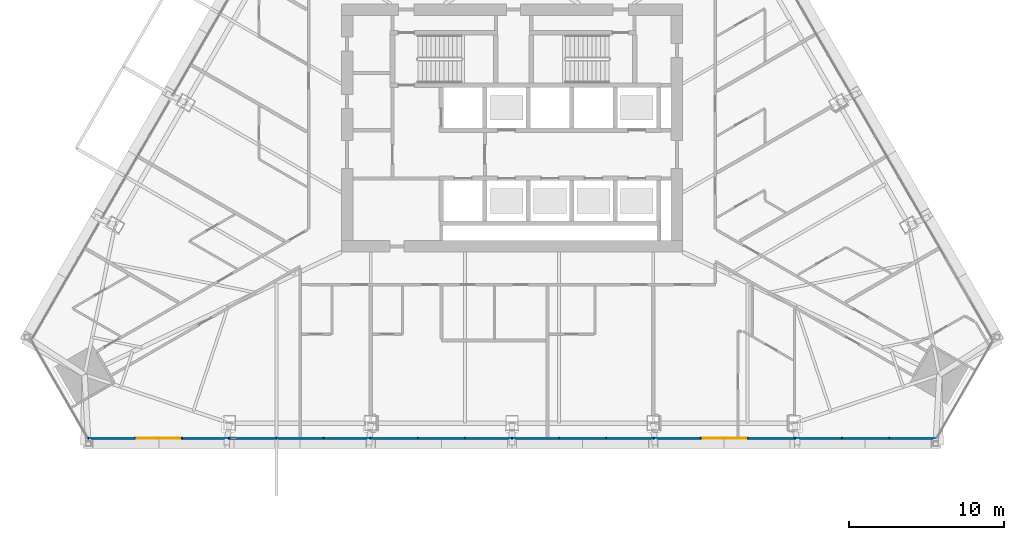
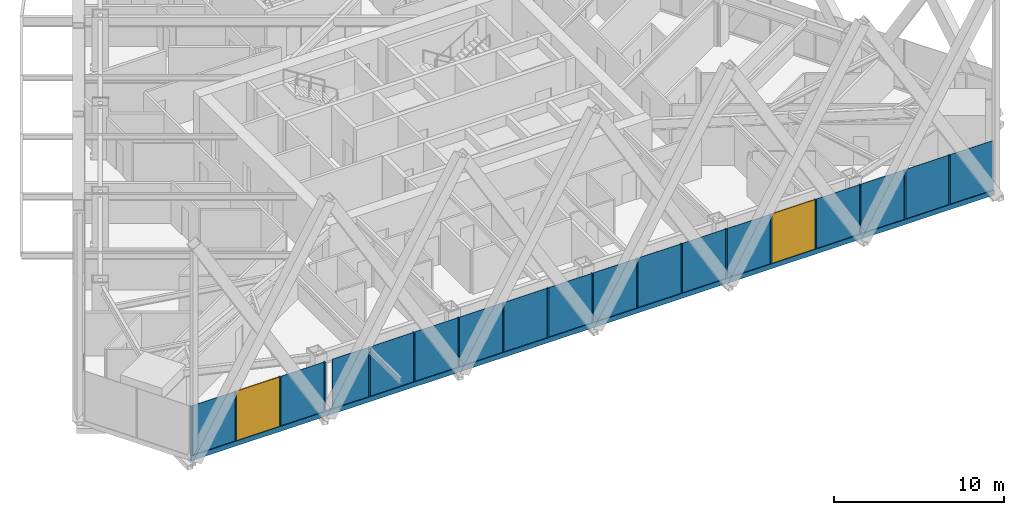
# One storey, part 4 of 26: 19 members, 16 plates, 2 windows, 2 openings, 1 element without a shape of its own.
"""IFC4 building model written with IfcOpenShell, lengths in metres."""

from ifc_helpers import new_model, si_unit, direction, frame, frame_2d, origin, origin_2d, place, context, subcontext, project, spatial, polyline, rectangle, outline, extrude, material, layer, layer_set, material_profile, profile_set, type_object, element, fill, aggregate, save


model = new_model("IFC4")

# Units and contexts
model_context = context("Model", 3, precision=1e-05, world=origin(), true_north=direction((0.0, 1.0)))
body_context = subcontext(model_context, "Body", "Model", "MODEL_VIEW")
ifc_project = project(units=[si_unit("LENGTHUNIT", "METRE"), si_unit("AREAUNIT", "SQUARE_METRE"), si_unit("VOLUMEUNIT", "CUBIC_METRE"), si_unit("PLANEANGLEUNIT", "RADIAN"), si_unit("MASSUNIT", "GRAM", prefix="KILO")], contexts=[model_context])

# Site, building, storey
site_placement = place(None, origin())
site = spatial("IfcSite", under=ifc_project, at=site_placement, CompositionType="ELEMENT")
building_placement = place(site_placement, origin())
building = spatial("IfcBuilding", under=site, at=building_placement, Name="Firuza Gate Tower and Library", CompositionType="ELEMENT")
storey_placement = place(building_placement, frame((0.0, 0.0, 155.800048828125)))
storey = spatial("IfcBuildingStorey", under=building, at=storey_placement, Name="L35", CompositionType="ELEMENT", Elevation=155.800048828125)

# Curtain wall, openings, members, plates, windows
ifc_material_1 = material(Name="Aluminium 6063-T6", Category="aluminium")
ifc_layer_1 = layer(ifc_material_1, 0.14990234375)
ifc_layer_set_1 = layer_set([ifc_layer_1], Name="Unitised curtain wall, hotel")
curtain_wall_type = type_object("IfcCurtainWallType", Name="Unitised curtain wall, hotel", PredefinedType="NOTDEFINED", material=ifc_layer_set_1)
curtain_wall_placement = place(storey_placement, origin())
curtain_wall = element("IfcCurtainWall", 1, at=curtain_wall_placement, inside=storey, type_object=curtain_wall_type, Name="CW2 L35 S face", PredefinedType="NOTDEFINED")
opening_1_placement = place(curtain_wall_placement, frame((50.73486328125, 55.00634765625, 0.14990234375), z_axis=(0.0, 0.0, 1.0), x_axis=(1.0, 0.0, 0.0)))
opening_1 = element("IfcOpeningElement", 2, at=opening_1_placement, cuts=curtain_wall, Name="Opening WD1-003", PredefinedType="OPENING", context=body_context, shape_type="SweptSolid", body=[
    extrude(rectangle(XDim=2.958251953125, YDim=3.550048828125, at=frame_2d((1.47900390625, 1.77490234375))), frame((0.0, 0.0849609375, 0.0), z_axis=(0.0, -1.0, 0.0), x_axis=(1.0, 0.0, 0.0)), (0.0, 0.0, 1.0), 0.169921875),
])
opening_2_placement = place(curtain_wall_placement, frame((87.192626953125, 55.00634765625, 0.14990234375), z_axis=(0.0, 0.0, 1.0), x_axis=(1.0, 0.0, 0.0)))
opening_2 = element("IfcOpeningElement", 3, at=opening_2_placement, cuts=curtain_wall, Name="Opening WD1-004", PredefinedType="OPENING", context=body_context, shape_type="SweptSolid", body=[
    extrude(rectangle(XDim=2.958251953125, YDim=3.550048828125, at=frame_2d((1.47900390625, 1.77490234375))), frame((0.0, 0.0849609375, 0.0), z_axis=(0.0, -1.0, 0.0), x_axis=(1.0, 0.0, 0.0)), (0.0, 0.0, 1.0), 0.169921875),
])
ifc_material_2 = material(Name="Aluminium 6063-T6", Category="aluminium")
ifc_material_profile_1 = material_profile(ifc_material_2, rectangle(XDim=0.14990234375, YDim=0.080078125, at=origin_2d()))
ifc_profile_set_1 = profile_set([ifc_material_profile_1], Name="Aluminium 6063-T6")
member_type_1 = type_object("IfcMemberType", Name="Curtain wall mullion 80x150", PredefinedType="MULLION", material=ifc_profile_set_1)
member_1_placement = place(storey_placement, frame((47.69677734375, 55.00634765625, 0.14990234375), z_axis=(0.0, 0.0, 1.0), x_axis=(0.0, 1.0, 0.0)))
member_1 = element("IfcMember", 4, at=member_1_placement, type_object=member_type_1, Name="Mullion", PredefinedType="MULLION", context=body_context, shape_type="SweptSolid", body=[
    extrude(rectangle(XDim=0.14990234375, YDim=0.080078125, at=origin_2d()), origin(), (0.0, 0.0, 1.0), 3.550048828125),
])
member_2_placement = place(storey_placement, frame((50.69482421875, 55.00634765625, 0.14990234375), z_axis=(0.0, 0.0, 1.0), x_axis=(0.0, 1.0, 0.0)))
member_2 = element("IfcMember", 5, at=member_2_placement, type_object=member_type_1, Name="Mullion", PredefinedType="MULLION", context=body_context, shape_type="SweptSolid", body=[
    extrude(rectangle(XDim=0.14990234375, YDim=0.080078125, at=origin_2d()), origin(), (0.0, 0.0, 1.0), 3.550048828125),
])
member_3_placement = place(storey_placement, frame((53.73291015625, 55.00634765625, 0.14990234375), z_axis=(0.0, 0.0, 1.0), x_axis=(0.0, 1.0, 0.0)))
member_3 = element("IfcMember", 6, at=member_3_placement, type_object=member_type_1, Name="Mullion", PredefinedType="MULLION", context=body_context, shape_type="SweptSolid", body=[
    extrude(rectangle(XDim=0.14990234375, YDim=0.080078125, at=origin_2d()), origin(), (0.0, 0.0, 1.0), 3.550048828125),
])
member_4_placement = place(storey_placement, frame((56.771240234375, 55.00634765625, 0.14990234375), z_axis=(0.0, 0.0, 1.0), x_axis=(0.0, 1.0, 0.0)))
member_4 = element("IfcMember", 7, at=member_4_placement, type_object=member_type_1, Name="Mullion", PredefinedType="MULLION", context=body_context, shape_type="SweptSolid", body=[
    extrude(rectangle(XDim=0.14990234375, YDim=0.080078125, at=origin_2d()), origin(), (0.0, 0.0, 1.0), 3.550048828125),
])
member_5_placement = place(storey_placement, frame((59.809326171875, 55.00634765625, 0.14990234375), z_axis=(0.0, 0.0, 1.0), x_axis=(0.0, 1.0, 0.0)))
member_5 = element("IfcMember", 8, at=member_5_placement, type_object=member_type_1, Name="Mullion", PredefinedType="MULLION", context=body_context, shape_type="SweptSolid", body=[
    extrude(rectangle(XDim=0.14990234375, YDim=0.080078125, at=origin_2d()), origin(), (0.0, 0.0, 1.0), 3.550048828125),
])
member_6_placement = place(storey_placement, frame((62.847412109375, 55.00634765625, 0.14990234375), z_axis=(0.0, 0.0, 1.0), x_axis=(0.0, 1.0, 0.0)))
member_6 = element("IfcMember", 9, at=member_6_placement, type_object=member_type_1, Name="Mullion", PredefinedType="MULLION", context=body_context, shape_type="SweptSolid", body=[
    extrude(rectangle(XDim=0.14990234375, YDim=0.080078125, at=origin_2d()), origin(), (0.0, 0.0, 1.0), 3.550048828125),
])
member_7_placement = place(storey_placement, frame((65.885498046875, 55.00634765625, 0.14990234375), z_axis=(0.0, 0.0, 1.0), x_axis=(0.0, 1.0, 0.0)))
member_7 = element("IfcMember", 10, at=member_7_placement, type_object=member_type_1, Name="Mullion", PredefinedType="MULLION", context=body_context, shape_type="SweptSolid", body=[
    extrude(rectangle(XDim=0.14990234375, YDim=0.080078125, at=origin_2d()), origin(), (0.0, 0.0, 1.0), 3.550048828125),
])
member_8_placement = place(storey_placement, frame((68.923828125, 55.00634765625, 0.14990234375), z_axis=(0.0, 0.0, 1.0), x_axis=(0.0, 1.0, 0.0)))
member_8 = element("IfcMember", 11, at=member_8_placement, type_object=member_type_1, Name="Mullion", PredefinedType="MULLION", context=body_context, shape_type="SweptSolid", body=[
    extrude(rectangle(XDim=0.14990234375, YDim=0.080078125, at=origin_2d()), origin(), (0.0, 0.0, 1.0), 3.550048828125),
])
member_9_placement = place(storey_placement, frame((71.9619140625, 55.00634765625, 0.14990234375), z_axis=(0.0, 0.0, 1.0), x_axis=(0.0, 1.0, 0.0)))
member_9 = element("IfcMember", 12, at=member_9_placement, type_object=member_type_1, Name="Mullion", PredefinedType="MULLION", context=body_context, shape_type="SweptSolid", body=[
    extrude(rectangle(XDim=0.14990234375, YDim=0.080078125, at=origin_2d()), origin(), (0.0, 0.0, 1.0), 3.550048828125),
])
member_10_placement = place(storey_placement, frame((75.0, 55.00634765625, 0.14990234375), z_axis=(0.0, 0.0, 1.0), x_axis=(0.0, 1.0, 0.0)))
member_10 = element("IfcMember", 13, at=member_10_placement, type_object=member_type_1, Name="Mullion", PredefinedType="MULLION", context=body_context, shape_type="SweptSolid", body=[
    extrude(rectangle(XDim=0.14990234375, YDim=0.080078125, at=origin_2d()), origin(), (0.0, 0.0, 1.0), 3.550048828125),
])
member_11_placement = place(storey_placement, frame((78.0380859375, 55.00634765625, 0.14990234375), z_axis=(0.0, 0.0, 1.0), x_axis=(0.0, 1.0, 0.0)))
member_11 = element("IfcMember", 14, at=member_11_placement, type_object=member_type_1, Name="Mullion", PredefinedType="MULLION", context=body_context, shape_type="SweptSolid", body=[
    extrude(rectangle(XDim=0.14990234375, YDim=0.080078125, at=origin_2d()), origin(), (0.0, 0.0, 1.0), 3.550048828125),
])
member_12_placement = place(storey_placement, frame((81.076171875, 55.00634765625, 0.14990234375), z_axis=(0.0, 0.0, 1.0), x_axis=(0.0, 1.0, 0.0)))
member_12 = element("IfcMember", 15, at=member_12_placement, type_object=member_type_1, Name="Mullion", PredefinedType="MULLION", context=body_context, shape_type="SweptSolid", body=[
    extrude(rectangle(XDim=0.14990234375, YDim=0.080078125, at=origin_2d()), origin(), (0.0, 0.0, 1.0), 3.550048828125),
])
member_13_placement = place(storey_placement, frame((84.114501953125, 55.00634765625, 0.14990234375), z_axis=(0.0, 0.0, 1.0), x_axis=(0.0, 1.0, 0.0)))
member_13 = element("IfcMember", 16, at=member_13_placement, type_object=member_type_1, Name="Mullion", PredefinedType="MULLION", context=body_context, shape_type="SweptSolid", body=[
    extrude(rectangle(XDim=0.14990234375, YDim=0.080078125, at=origin_2d()), origin(), (0.0, 0.0, 1.0), 3.550048828125),
])
member_14_placement = place(storey_placement, frame((87.152587890625, 55.00634765625, 0.14990234375), z_axis=(0.0, 0.0, 1.0), x_axis=(0.0, 1.0, 0.0)))
member_14 = element("IfcMember", 17, at=member_14_placement, type_object=member_type_1, Name="Mullion", PredefinedType="MULLION", context=body_context, shape_type="SweptSolid", body=[
    extrude(rectangle(XDim=0.14990234375, YDim=0.080078125, at=origin_2d()), origin(), (0.0, 0.0, 1.0), 3.550048828125),
])
member_15_placement = place(storey_placement, frame((90.190673828125, 55.00634765625, 0.14990234375), z_axis=(0.0, 0.0, 1.0), x_axis=(0.0, 1.0, 0.0)))
member_15 = element("IfcMember", 18, at=member_15_placement, type_object=member_type_1, Name="Mullion", PredefinedType="MULLION", context=body_context, shape_type="SweptSolid", body=[
    extrude(rectangle(XDim=0.14990234375, YDim=0.080078125, at=origin_2d()), origin(), (0.0, 0.0, 1.0), 3.550048828125),
])
member_16_placement = place(storey_placement, frame((93.228759765625, 55.00634765625, 0.14990234375), z_axis=(0.0, 0.0, 1.0), x_axis=(0.0, 1.0, 0.0)))
member_16 = element("IfcMember", 19, at=member_16_placement, type_object=member_type_1, Name="Mullion", PredefinedType="MULLION", context=body_context, shape_type="SweptSolid", body=[
    extrude(rectangle(XDim=0.14990234375, YDim=0.080078125, at=origin_2d()), origin(), (0.0, 0.0, 1.0), 3.550048828125),
])
member_17_placement = place(storey_placement, frame((96.26708984375, 55.00634765625, 0.14990234375), z_axis=(0.0, 0.0, 1.0), x_axis=(0.0, 1.0, 0.0)))
member_17 = element("IfcMember", 20, at=member_17_placement, type_object=member_type_1, Name="Mullion", PredefinedType="MULLION", context=body_context, shape_type="SweptSolid", body=[
    extrude(rectangle(XDim=0.14990234375, YDim=0.080078125, at=origin_2d()), origin(), (0.0, 0.0, 1.0), 3.550048828125),
])
member_18_placement = place(storey_placement, frame((99.30517578125, 55.00634765625, 0.14990234375), z_axis=(0.0, 0.0, 1.0), x_axis=(0.0, 1.0, 0.0)))
member_18 = element("IfcMember", 21, at=member_18_placement, type_object=member_type_1, Name="Mullion", PredefinedType="MULLION", context=body_context, shape_type="SweptSolid", body=[
    extrude(rectangle(XDim=0.14990234375, YDim=0.080078125, at=origin_2d()), origin(), (0.0, 0.0, 1.0), 3.550048828125),
])
ifc_material_3 = material(Name="Aluminium 6063-T6", Category="aluminium")
ifc_material_profile_2 = material_profile(ifc_material_3, rectangle(XDim=0.14990234375, YDim=0.35009765625, at=origin_2d()))
ifc_profile_set_2 = profile_set([ifc_material_profile_2], Name="Aluminium 6063-T6")
member_type_2 = type_object("IfcMemberType", Name="Curtain wall transom 350x150", PredefinedType="USERDEFINED", material=ifc_profile_set_2)
member_19_placement = place(storey_placement, frame((47.65673828125, 55.00634765625, -0.025146484375), z_axis=(1.0, 0.0, 0.0), x_axis=(0.0, 1.0, 0.0)))
member_19 = element("IfcMember", 22, at=member_19_placement, type_object=member_type_2, Name="Transom", ObjectType="TRANSOM", PredefinedType="USERDEFINED", context=body_context, shape_type="SweptSolid", body=[
    extrude(rectangle(XDim=0.14990234375, YDim=0.35009765625, at=origin_2d()), origin(), (0.0, 0.0, 1.0), 54.6865234375),
])
ifc_material_4 = material(Name="Fritted glass", Category="glass")
ifc_layer_2 = layer(ifc_material_4, 0.030029296875)
ifc_layer_set_2 = layer_set([ifc_layer_2], Name="Fritted glass unit, hotel")
plate_type_1 = type_object("IfcPlateType", Name="Fritted glass unit, hotel", PredefinedType="CURTAIN_PANEL", material=ifc_layer_set_2)
plate_1_placement = place(storey_placement, frame((59.849365234375, 54.991455078125, 0.14990234375), z_axis=(0.0, -1.0, 0.0), x_axis=(1.0, 0.0, 0.0)))
plate_1 = element("IfcPlate", 23, at=plate_1_placement, type_object=plate_type_1, Name="Glass unit", PredefinedType="CURTAIN_PANEL", context=body_context, shape_type="SweptSolid", body=[
    extrude(outline(polyline([(0.0, 0.0), (2.9580078125, 0.0), (2.9580078125, 3.550048828125), (0.0, 3.550048828125), (0.0, 0.0)])), origin(), (0.0, 0.0, -1.0), 0.030029296875),
])
plate_2_placement = place(storey_placement, frame((68.963623046875, 54.991455078125, 0.14990234375), z_axis=(0.0, -1.0, 0.0), x_axis=(1.0, 0.0, 0.0)))
plate_2 = element("IfcPlate", 24, at=plate_2_placement, type_object=plate_type_1, Name="Glass unit", PredefinedType="CURTAIN_PANEL", context=body_context, shape_type="SweptSolid", body=[
    extrude(outline(polyline([(0.0, 0.0), (2.958251953125, 0.0), (2.958251953125, 3.550048828125), (0.0, 3.550048828125), (0.0, 0.0)])), origin(), (0.0, 0.0, -1.0), 0.030029296875),
])
plate_3_placement = place(storey_placement, frame((78.078125, 54.991455078125, 0.14990234375), z_axis=(0.0, -1.0, 0.0), x_axis=(1.0, 0.0, 0.0)))
plate_3 = element("IfcPlate", 25, at=plate_3_placement, type_object=plate_type_1, Name="Glass unit", PredefinedType="CURTAIN_PANEL", context=body_context, shape_type="SweptSolid", body=[
    extrude(outline(polyline([(0.0, 0.0), (2.958251953125, 0.0), (2.958251953125, 3.550048828125), (0.0, 3.550048828125), (0.0, 0.0)])), origin(), (0.0, 0.0, -1.0), 0.030029296875),
])
plate_4_placement = place(storey_placement, frame((96.30712890625, 54.991455078125, 0.14990234375), z_axis=(0.0, -1.0, 0.0), x_axis=(1.0, 0.0, 0.0)))
plate_4 = element("IfcPlate", 26, at=plate_4_placement, type_object=plate_type_1, Name="Glass unit", PredefinedType="CURTAIN_PANEL", context=body_context, shape_type="SweptSolid", body=[
    extrude(outline(polyline([(0.0, 0.0), (2.9580078125, 0.0), (2.9580078125, 3.550048828125), (0.0, 3.550048828125), (0.0, 0.0)])), origin(), (0.0, 0.0, -1.0), 0.030029296875),
])
ifc_material_5 = material(Name="Glazed ceramic tile")
ifc_layer_3 = layer(ifc_material_5, 0.030029296875)
ifc_layer_set_3 = layer_set([ifc_layer_3], Name="Opaque ceramic panel, hotel")
plate_type_2 = type_object("IfcPlateType", Name="Opaque ceramic panel, hotel", PredefinedType="CURTAIN_PANEL", material=ifc_layer_set_3)
plate_5_placement = place(storey_placement, frame((47.69677734375, 54.991455078125, 0.14990234375), z_axis=(0.0, -1.0, 0.0), x_axis=(1.0, 0.0, 0.0)))
plate_5 = element("IfcPlate", 27, at=plate_5_placement, type_object=plate_type_2, Name="Opaque ceramic panel", PredefinedType="CURTAIN_PANEL", context=body_context, shape_type="SweptSolid", body=[
    extrude(outline(polyline([(0.0, 0.0), (2.9580078125, 0.0), (2.9580078125, 3.550048828125), (0.0, 3.550048828125), (0.0, 0.0)])), origin(), (0.0, 0.0, -1.0), 0.030029296875),
])
plate_6_placement = place(storey_placement, frame((53.77294921875, 54.991455078125, 0.14990234375), z_axis=(0.0, -1.0, 0.0), x_axis=(1.0, 0.0, 0.0)))
plate_6 = element("IfcPlate", 28, at=plate_6_placement, type_object=plate_type_2, Name="Opaque ceramic panel", PredefinedType="CURTAIN_PANEL", context=body_context, shape_type="SweptSolid", body=[
    extrude(outline(polyline([(0.0, 0.0), (2.958251953125, 0.0), (2.958251953125, 3.550048828125), (0.0, 3.550048828125), (0.0, 0.0)])), origin(), (0.0, 0.0, -1.0), 0.030029296875),
])
plate_7_placement = place(storey_placement, frame((57.287109375, 54.991455078125, 0.14990234375), z_axis=(0.0, -1.0, 0.0), x_axis=(1.0, 0.0, 0.0)))
plate_7 = element("IfcPlate", 29, at=plate_7_placement, type_object=plate_type_2, Name="Opaque ceramic panel", PredefinedType="CURTAIN_PANEL", context=body_context, shape_type="SweptSolid", body=[
    extrude(outline(polyline([(0.0, 0.0), (2.482177734375, 0.0), (2.482177734375, 3.550048828125), (0.0, 3.550048828125), (0.0, 0.0)])), origin(), (0.0, 0.0, -1.0), 0.030029296875),
])
plate_8_placement = place(storey_placement, frame((62.887451171875, 54.991455078125, 0.14990234375), z_axis=(0.0, -1.0, 0.0), x_axis=(1.0, 0.0, 0.0)))
plate_8 = element("IfcPlate", 30, at=plate_8_placement, type_object=plate_type_2, Name="Opaque ceramic panel", PredefinedType="CURTAIN_PANEL", context=body_context, shape_type="SweptSolid", body=[
    extrude(outline(polyline([(0.0, 0.0), (2.9580078125, 0.0), (2.9580078125, 3.550048828125), (0.0, 3.550048828125), (0.0, 0.0)])), origin(), (0.0, 0.0, -1.0), 0.030029296875),
])
plate_9_placement = place(storey_placement, frame((65.925537109375, 54.991455078125, 0.14990234375), z_axis=(0.0, -1.0, 0.0), x_axis=(1.0, 0.0, 0.0)))
plate_9 = element("IfcPlate", 31, at=plate_9_placement, type_object=plate_type_2, Name="Opaque ceramic panel", PredefinedType="CURTAIN_PANEL", context=body_context, shape_type="SweptSolid", body=[
    extrude(outline(polyline([(0.0, 0.0), (2.958251953125, 0.0), (2.958251953125, 3.550048828125), (0.0, 3.550048828125), (0.0, 0.0)])), origin(), (0.0, 0.0, -1.0), 0.030029296875),
])
plate_10_placement = place(storey_placement, frame((72.001953125, 54.991455078125, 0.14990234375), z_axis=(0.0, -1.0, 0.0), x_axis=(1.0, 0.0, 0.0)))
plate_10 = element("IfcPlate", 32, at=plate_10_placement, type_object=plate_type_2, Name="Opaque ceramic panel", PredefinedType="CURTAIN_PANEL", context=body_context, shape_type="SweptSolid", body=[
    extrude(outline(polyline([(0.0, 0.0), (2.9580078125, 0.0), (2.9580078125, 3.550048828125), (0.0, 3.550048828125), (0.0, 0.0)])), origin(), (0.0, 0.0, -1.0), 0.030029296875),
])
plate_11_placement = place(storey_placement, frame((75.0400390625, 54.991455078125, 0.14990234375), z_axis=(0.0, -1.0, 0.0), x_axis=(1.0, 0.0, 0.0)))
plate_11 = element("IfcPlate", 33, at=plate_11_placement, type_object=plate_type_2, Name="Opaque ceramic panel", PredefinedType="CURTAIN_PANEL", context=body_context, shape_type="SweptSolid", body=[
    extrude(outline(polyline([(0.0, 0.0), (2.9580078125, 0.0), (2.9580078125, 3.550048828125), (0.0, 3.550048828125), (0.0, 0.0)])), origin(), (0.0, 0.0, -1.0), 0.030029296875),
])
plate_12_placement = place(storey_placement, frame((81.1162109375, 54.991455078125, 0.14990234375), z_axis=(0.0, -1.0, 0.0), x_axis=(1.0, 0.0, 0.0)))
plate_12 = element("IfcPlate", 34, at=plate_12_placement, type_object=plate_type_2, Name="Opaque ceramic panel", PredefinedType="CURTAIN_PANEL", context=body_context, shape_type="SweptSolid", body=[
    extrude(outline(polyline([(0.0, 0.0), (2.958251953125, 0.0), (2.958251953125, 3.550048828125), (0.0, 3.550048828125), (0.0, 0.0)])), origin(), (0.0, 0.0, -1.0), 0.030029296875),
])
plate_13_placement = place(storey_placement, frame((84.154541015625, 54.991455078125, 0.14990234375), z_axis=(0.0, -1.0, 0.0), x_axis=(1.0, 0.0, 0.0)))
plate_13 = element("IfcPlate", 35, at=plate_13_placement, type_object=plate_type_2, Name="Opaque ceramic panel", PredefinedType="CURTAIN_PANEL", context=body_context, shape_type="SweptSolid", body=[
    extrude(outline(polyline([(0.0, 0.0), (2.9580078125, 0.0), (2.9580078125, 3.550048828125), (0.0, 3.550048828125), (0.0, 0.0)])), origin(), (0.0, 0.0, -1.0), 0.030029296875),
])
plate_14_placement = place(storey_placement, frame((90.230712890625, 54.991455078125, 0.14990234375), z_axis=(0.0, -1.0, 0.0), x_axis=(1.0, 0.0, 0.0)))
plate_14 = element("IfcPlate", 36, at=plate_14_placement, type_object=plate_type_2, Name="Opaque ceramic panel", PredefinedType="CURTAIN_PANEL", context=body_context, shape_type="SweptSolid", body=[
    extrude(outline(polyline([(0.0, 0.0), (2.958251953125, 0.0), (2.958251953125, 3.550048828125), (0.0, 3.550048828125), (0.0, 0.0)])), origin(), (0.0, 0.0, -1.0), 0.030029296875),
])
plate_15_placement = place(storey_placement, frame((93.268798828125, 54.991455078125, 0.14990234375), z_axis=(0.0, -1.0, 0.0), x_axis=(1.0, 0.0, 0.0)))
plate_15 = element("IfcPlate", 37, at=plate_15_placement, type_object=plate_type_2, Name="Opaque ceramic panel", PredefinedType="CURTAIN_PANEL", context=body_context, shape_type="SweptSolid", body=[
    extrude(outline(polyline([(0.0, 0.0), (2.958251953125, 0.0), (2.958251953125, 3.550048828125), (0.0, 3.550048828125), (0.0, 0.0)])), origin(), (0.0, 0.0, -1.0), 0.030029296875),
])
plate_16_placement = place(storey_placement, frame((99.34521484375, 54.991455078125, 0.14990234375), z_axis=(0.0, -1.0, 0.0), x_axis=(1.0, 0.0, 0.0)))
plate_16 = element("IfcPlate", 38, at=plate_16_placement, type_object=plate_type_2, Name="Opaque ceramic panel", PredefinedType="CURTAIN_PANEL", context=body_context, shape_type="SweptSolid", body=[
    extrude(outline(polyline([(0.0, 0.0), (2.9580078125, 0.0), (2.9580078125, 3.550048828125), (0.0, 3.550048828125), (0.0, 0.0)])), origin(), (0.0, 0.0, -1.0), 0.030029296875),
])
aggregate(curtain_wall, [member_1, member_2, member_3, member_4, member_5, member_6, member_7, member_8, member_9, member_10, member_11, member_12, member_13, member_14, member_15, member_16, member_17, member_18, member_19, plate_5, plate_6, plate_7, plate_1, plate_8, plate_9, plate_2, plate_10, plate_11, plate_3, plate_12, plate_13, plate_14, plate_15, plate_4, plate_16])
ifc_material_6 = material(Name="Aluminium 6063-T6 and glass", Category="aluminium")
ifc_layer_4 = layer(ifc_material_6, 0.030029296875)
ifc_layer_set_4 = layer_set([ifc_layer_4], Name="Operable glazed unit")
window_type = type_object("IfcWindowType", Name="Operable glazed unit", PartitioningType="SINGLE_PANEL", PredefinedType="WINDOW", material=ifc_layer_set_4)
window_1_placement = place(opening_1_placement, origin())
window_1 = element("IfcWindow", 39, at=window_1_placement, inside=storey, type_object=window_type, Name="Operable glazed unit", OverallHeight=3.550048828125, OverallWidth=2.958251953125, PartitioningType="SINGLE_PANEL", PredefinedType="WINDOW", context=body_context, shape_type="SweptSolid", body=[
    extrude(rectangle(XDim=2.958251953125, YDim=3.550048828125, at=frame_2d((1.47900390625, 1.77490234375))), frame((0.0, 0.030029296875, 0.0), z_axis=(0.0, -1.0, 0.0), x_axis=(1.0, 0.0, 0.0)), (0.0, 0.0, 1.0), 0.06005859375),
])
fill(opening_1, window_1)
window_2_placement = place(opening_2_placement, origin())
window_2 = element("IfcWindow", 40, at=window_2_placement, inside=storey, type_object=window_type, Name="Operable glazed unit", OverallHeight=3.550048828125, OverallWidth=2.958251953125, PartitioningType="SINGLE_PANEL", PredefinedType="WINDOW", context=body_context, shape_type="SweptSolid", body=[
    extrude(rectangle(XDim=2.958251953125, YDim=3.550048828125, at=frame_2d((1.47900390625, 1.77490234375))), frame((0.0, 0.030029296875, 0.0), z_axis=(0.0, -1.0, 0.0), x_axis=(1.0, 0.0, 0.0)), (0.0, 0.0, 1.0), 0.06005859375),
])
fill(opening_2, window_2)

save(model, "model.ifc")
